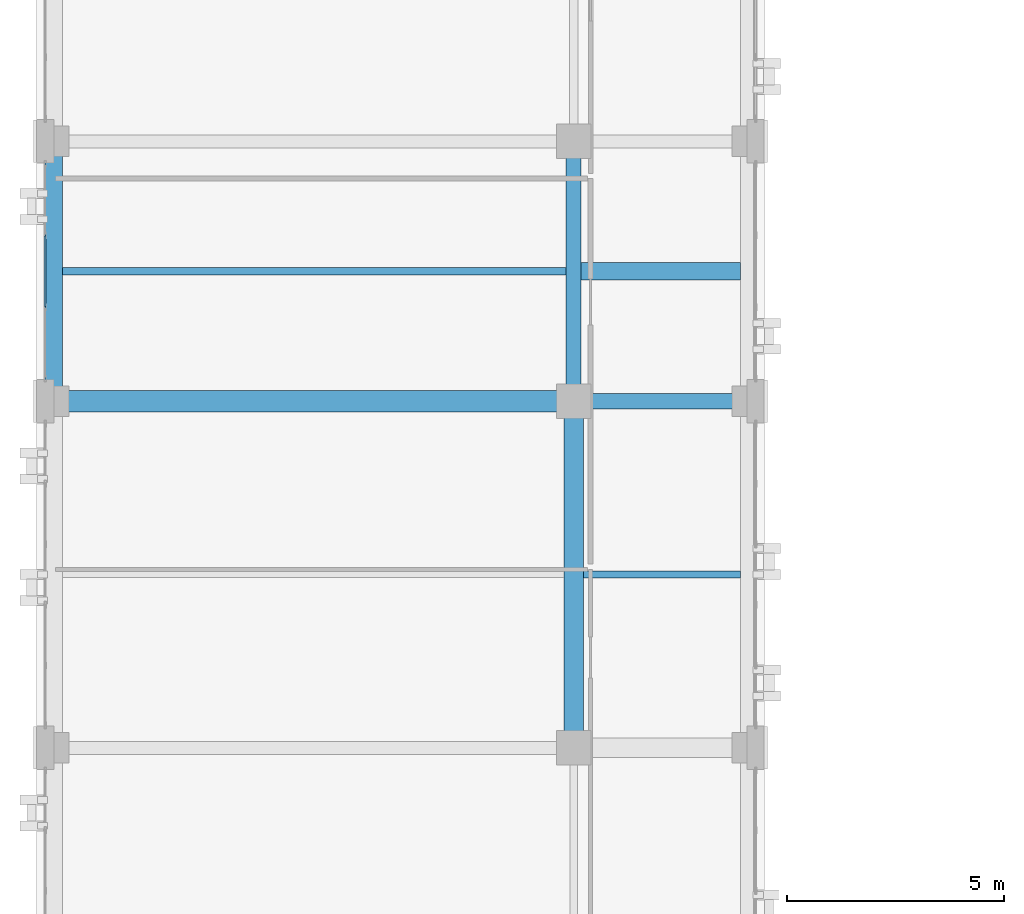
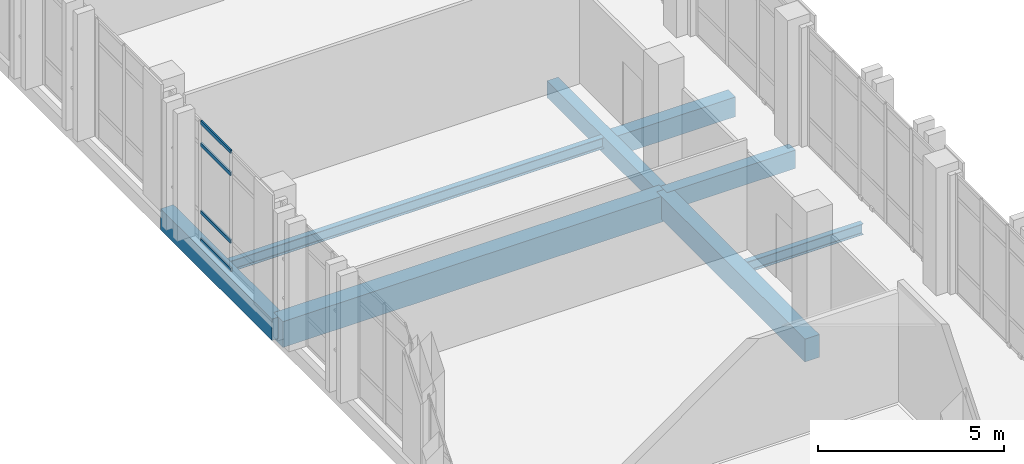
# One storey, part 66 of 158: 8 beams, 4 members, 1 element without a shape of its own.
"""IFC4 building model written with IfcOpenShell, lengths in metres."""

from ifc_helpers import new_model, si_unit, direction, frame, origin, origin_2d, place, context, subcontext, project, spatial, rectangle, hollow_rectangle, i_section, extrude, material, layer, layer_set, material_profile, profile_set, type_object, element, aggregate, save


model = new_model("IFC4")

# Units and contexts
model_context = context("Model", 3, precision=1e-05, world=origin(), true_north=direction((0.0, 1.0)))
body_context = subcontext(model_context, "Body", "Model", "MODEL_VIEW")
ifc_project = project(units=[si_unit("LENGTHUNIT", "METRE"), si_unit("AREAUNIT", "SQUARE_METRE"), si_unit("VOLUMEUNIT", "CUBIC_METRE"), si_unit("PLANEANGLEUNIT", "RADIAN"), si_unit("MASSUNIT", "GRAM", prefix="KILO")], contexts=[model_context])

# Site, building, storey
site_placement = place(None, origin())
site = spatial("IfcSite", under=ifc_project, at=site_placement, CompositionType="ELEMENT")
building_placement = place(site_placement, origin())
building = spatial("IfcBuilding", under=site, at=building_placement, Name="Qalavern Law Courts", CompositionType="ELEMENT")
storey_placement = place(building_placement, frame((0.0, 0.0, 18.60009765625)))
storey = spatial("IfcBuildingStorey", under=building, at=storey_placement, Name="L04", CompositionType="ELEMENT", Elevation=18.60009765625)

# Curtain wall, members
ifc_material_1 = material(Name="Anodised aluminium and insulated glazing", Category="aluminium")
ifc_layer = layer(ifc_material_1, 0.159912109375)
ifc_layer_set = layer_set([ifc_layer], Name="Anodised aluminium and insulated glazing")
curtain_wall_type = type_object("IfcCurtainWallType", Name="ENV-CW-CHAMB", PredefinedType="USERDEFINED", material=ifc_layer_set)
curtain_wall_placement = place(storey_placement, origin())
curtain_wall = element("IfcCurtainWall", 1, at=curtain_wall_placement, inside=storey, type_object=curtain_wall_type, Name="V3 unitised curtain wall L04 west 3", ObjectType="UNITISED CURTAIN WALL", PredefinedType="USERDEFINED")
ifc_material_2 = material(Name="Anodised aluminium", Category="aluminium")
ifc_material_profile_1 = material_profile(ifc_material_2, hollow_rectangle(XDim=0.048095703125, YDim=0.1201171875, WallThickness=0.00390625, at=origin_2d()), Name="ALU TRANSOM 48x120")
ifc_profile_set_1 = profile_set([ifc_material_profile_1], Name="Anodised aluminium")
member_type = type_object("IfcMemberType", Name="ENV-CWT-48x120", PredefinedType="USERDEFINED", material=ifc_profile_set_1)
member_1_placement = place(storey_placement, frame((2.199951171875, 77.209228515625, 0.02392578125), z_axis=(0.0, -1.0, 0.0), x_axis=(1.0, 0.0, 0.0)))
member_1 = element("IfcMember", 2, at=member_1_placement, type_object=member_type, Name="CW-04 transom 2.1", ObjectType="TRANSOM", PredefinedType="USERDEFINED", context=body_context, shape_type="SweptSolid", body=[
    extrude(hollow_rectangle(XDim=0.048095703125, YDim=0.1201171875, WallThickness=0.00390625, at=origin_2d()), origin(), (0.0, 0.0, 1.0), 1.61865234375),
])
member_2_placement = place(storey_placement, frame((2.199951171875, 77.209228515625, 0.949951171875), z_axis=(0.0, -1.0, 0.0), x_axis=(1.0, 0.0, 0.0)))
member_2 = element("IfcMember", 3, at=member_2_placement, type_object=member_type, Name="CW-04 transom 2.2", ObjectType="TRANSOM", PredefinedType="USERDEFINED", context=body_context, shape_type="SweptSolid", body=[
    extrude(hollow_rectangle(XDim=0.048095703125, YDim=0.1201171875, WallThickness=0.00390625, at=origin_2d()), origin(), (0.0, 0.0, 1.0), 1.61865234375),
])
member_3_placement = place(storey_placement, frame((2.199951171875, 77.209228515625, 3.1748046875), z_axis=(0.0, -1.0, 0.0), x_axis=(1.0, 0.0, 0.0)))
member_3 = element("IfcMember", 4, at=member_3_placement, type_object=member_type, Name="CW-04 transom 2.3", ObjectType="TRANSOM", PredefinedType="USERDEFINED", context=body_context, shape_type="SweptSolid", body=[
    extrude(hollow_rectangle(XDim=0.048095703125, YDim=0.1201171875, WallThickness=0.00390625, at=origin_2d()), origin(), (0.0, 0.0, 1.0), 1.61865234375),
])
member_4_placement = place(storey_placement, frame((2.199951171875, 77.209228515625, 3.90087890625), z_axis=(0.0, -1.0, 0.0), x_axis=(1.0, 0.0, 0.0)))
member_4 = element("IfcMember", 5, at=member_4_placement, type_object=member_type, Name="CW-04 transom 2.4", ObjectType="TRANSOM", PredefinedType="USERDEFINED", context=body_context, shape_type="SweptSolid", body=[
    extrude(hollow_rectangle(XDim=0.048095703125, YDim=0.1201171875, WallThickness=0.00390625, at=origin_2d()), origin(), (0.0, 0.0, 1.0), 1.61865234375),
])
aggregate(curtain_wall, [member_1, member_2, member_3, member_4])

# Beams
ifc_material_3 = material(Name="Concrete C35/45", Category="concrete")
ifc_material_profile_2 = material_profile(ifc_material_3, rectangle(XDim=0.35009765625, YDim=0.550048828125, at=origin_2d()), Name="RC 350x550")
ifc_profile_set_2 = profile_set([ifc_material_profile_2], Name="Concrete C35/45")
beam_type_1 = type_object("IfcBeamType", Name="STR-BM-RC350x550", PredefinedType="BEAM", material=ifc_profile_set_2)
beam_1_placement = place(storey_placement, frame((14.39990234375, 73.39990234375, -0.55517578125), z_axis=(0.0, 1.0, 0.0), x_axis=(-1.0, 0.0, 0.0)))
element("IfcBeam", 6, at=beam_1_placement, inside=storey, type_object=beam_type_1, Name="V3 Y-beam 2-5 L04", PredefinedType="BEAM", context=body_context, shape_type="SweptSolid", body=[
    extrude(rectangle(XDim=0.35009765625, YDim=0.550048828125, at=origin_2d()), origin(), (0.0, 0.0, 1.0), 6.0),
])
ifc_material_profile_3 = material_profile(ifc_material_3, rectangle(XDim=0.35009765625, YDim=0.60009765625, at=origin_2d()), Name="RC 350x600")
ifc_profile_set_3 = profile_set([ifc_material_profile_3], Name="Concrete C35/45")
beam_type_2 = type_object("IfcBeamType", Name="STR-BM-RC350x600", PredefinedType="BEAM", material=ifc_profile_set_3)
beam_2_placement = place(storey_placement, frame((14.39990234375, 73.39990234375, -0.580078125), z_axis=(1.0, 0.0, 0.0), x_axis=(0.0, 1.0, 0.0)))
element("IfcBeam", 7, at=beam_2_placement, inside=storey, type_object=beam_type_2, Name="V3 X-beam 5-2 L04", PredefinedType="BEAM", context=body_context, shape_type="SweptSolid", body=[
    extrude(rectangle(XDim=0.35009765625, YDim=0.60009765625, at=origin_2d()), origin(), (0.0, 0.0, 1.0), 4.0),
])
ifc_material_4 = material(Name="Concrete C40/50", Category="concrete")
ifc_material_profile_4 = material_profile(ifc_material_4, rectangle(XDim=0.449951171875, YDim=0.75, at=origin_2d()), Name="RC 450x750")
ifc_profile_set_4 = profile_set([ifc_material_profile_4], Name="Concrete C40/50")
beam_type_3 = type_object("IfcBeamType", Name="STR-BM-RC450x750", PredefinedType="BEAM", material=ifc_profile_set_4)
beam_3_placement = place(storey_placement, frame((14.39990234375, 65.39990234375, -0.655029296875), z_axis=(0.0, 1.0, 0.0), x_axis=(-1.0, 0.0, 0.0)))
element("IfcBeam", 8, at=beam_3_placement, inside=storey, type_object=beam_type_3, Name="V3 Y-beam 2-4 L04", PredefinedType="BEAM", context=body_context, shape_type="SweptSolid", body=[
    extrude(rectangle(XDim=0.449951171875, YDim=0.75, at=origin_2d()), origin(), (0.0, 0.0, 1.0), 8.0),
])
ifc_material_profile_5 = material_profile(ifc_material_4, rectangle(XDim=0.5, YDim=0.85009765625, at=origin_2d()), Name="RC 500x850")
ifc_profile_set_5 = profile_set([ifc_material_profile_5], Name="Concrete C40/50")
beam_type_4 = type_object("IfcBeamType", Name="STR-BM-RC500x850", PredefinedType="BEAM", material=ifc_profile_set_5)
beam_4_placement = place(storey_placement, frame((2.39990234375, 73.39990234375, -0.705078125), z_axis=(1.0, 0.0, 0.0), x_axis=(0.0, 1.0, 0.0)))
element("IfcBeam", 9, at=beam_4_placement, inside=storey, type_object=beam_type_4, Name="V3 X-beam 5-1 L04", PredefinedType="BEAM", context=body_context, shape_type="SweptSolid", body=[
    extrude(rectangle(XDim=0.5, YDim=0.85009765625, at=origin_2d()), origin(), (0.0, 0.0, 1.0), 12.0),
])
ifc_material_5 = material(Name="Steel S355", Category="steel")
ifc_material_profile_6 = material_profile(ifc_material_5, i_section(OverallWidth=0.169921875, OverallDepth=0.360107421875, WebThickness=0.008056640625, FlangeThickness=0.0126953125, FilletRadius=0.01806640625, at=origin_2d()), Name="IPE 360")
ifc_profile_set_6 = profile_set([ifc_material_profile_6], Name="Steel S355")
beam_type_5 = type_object("IfcBeamType", Name="STR-JST-IPE360", PredefinedType="JOIST", material=ifc_profile_set_6)
beam_5_placement = place(storey_placement, frame((2.597900390625, 76.39990234375, -0.460205078125), z_axis=(1.0, 0.0, 0.0), x_axis=(0.0, 1.0, 0.0)))
element("IfcBeam", 10, at=beam_5_placement, inside=storey, type_object=beam_type_5, Name="V3 secondary joist 1.5.1 L04", PredefinedType="JOIST", context=body_context, shape_type="SweptSolid", body=[
    extrude(i_section(OverallWidth=0.169921875, OverallDepth=0.360107421875, WebThickness=0.008056640625, FlangeThickness=0.0126953125, FilletRadius=0.01806640625, at=origin_2d()), origin(), (0.0, 0.0, 1.0), 11.629150390625),
])
beam_6_placement = place(storey_placement, frame((14.623046875, 69.39990234375, -0.460205078125), z_axis=(1.0, 0.0, 0.0), x_axis=(0.0, 1.0, 0.0)))
element("IfcBeam", 11, at=beam_6_placement, inside=storey, type_object=beam_type_5, Name="V3 secondary joist 2.4.1 L04", PredefinedType="JOIST", context=body_context, shape_type="SweptSolid", body=[
    extrude(i_section(OverallWidth=0.169921875, OverallDepth=0.360107421875, WebThickness=0.008056640625, FlangeThickness=0.0126953125, FilletRadius=0.01806640625, at=origin_2d()), origin(), (0.0, 0.0, 1.0), 3.62890625),
])
ifc_material_profile_7 = material_profile(ifc_material_3, rectangle(XDim=0.39990234375, YDim=0.64990234375, at=origin_2d()), Name="RC 400x650")
ifc_profile_set_7 = profile_set([ifc_material_profile_7], Name="Concrete C35/45")
beam_type_6 = type_object("IfcBeamType", Name="STR-JST-RC400x650", PredefinedType="JOIST", material=ifc_profile_set_7)
beam_7_placement = place(storey_placement, frame((14.572998046875, 76.39990234375, -0.60498046875), z_axis=(1.0, 0.0, 0.0), x_axis=(0.0, 1.0, 0.0)))
element("IfcBeam", 12, at=beam_7_placement, inside=storey, type_object=beam_type_6, Name="V3 secondary joist 2.5.1 L04", PredefinedType="JOIST", context=body_context, shape_type="SweptSolid", body=[
    extrude(rectangle(XDim=0.39990234375, YDim=0.64990234375, at=origin_2d()), origin(), (0.0, 0.0, 1.0), 3.678955078125),
])
ifc_material_profile_8 = material_profile(ifc_material_4, rectangle(XDim=0.39990234375, YDim=0.699951171875, at=origin_2d()), Name="RC 400x700")
ifc_profile_set_8 = profile_set([ifc_material_profile_8], Name="Concrete C40/50")
beam_type_7 = type_object("IfcBeamType", Name="STR-SP-RC400x700", PredefinedType="SPANDREL", material=ifc_profile_set_8)
beam_8_placement = place(storey_placement, frame((2.39990234375, 73.39990234375, -0.630126953125), z_axis=(0.0, 1.0, 0.0), x_axis=(-1.0, 0.0, 0.0)))
element("IfcBeam", 13, at=beam_8_placement, inside=storey, type_object=beam_type_7, Name="V3 Y-beam 1-5 L04", PredefinedType="SPANDREL", context=body_context, shape_type="SweptSolid", body=[
    extrude(rectangle(XDim=0.39990234375, YDim=0.699951171875, at=origin_2d()), origin(), (0.0, 0.0, 1.0), 6.0),
])

save(model, "model.ifc")
